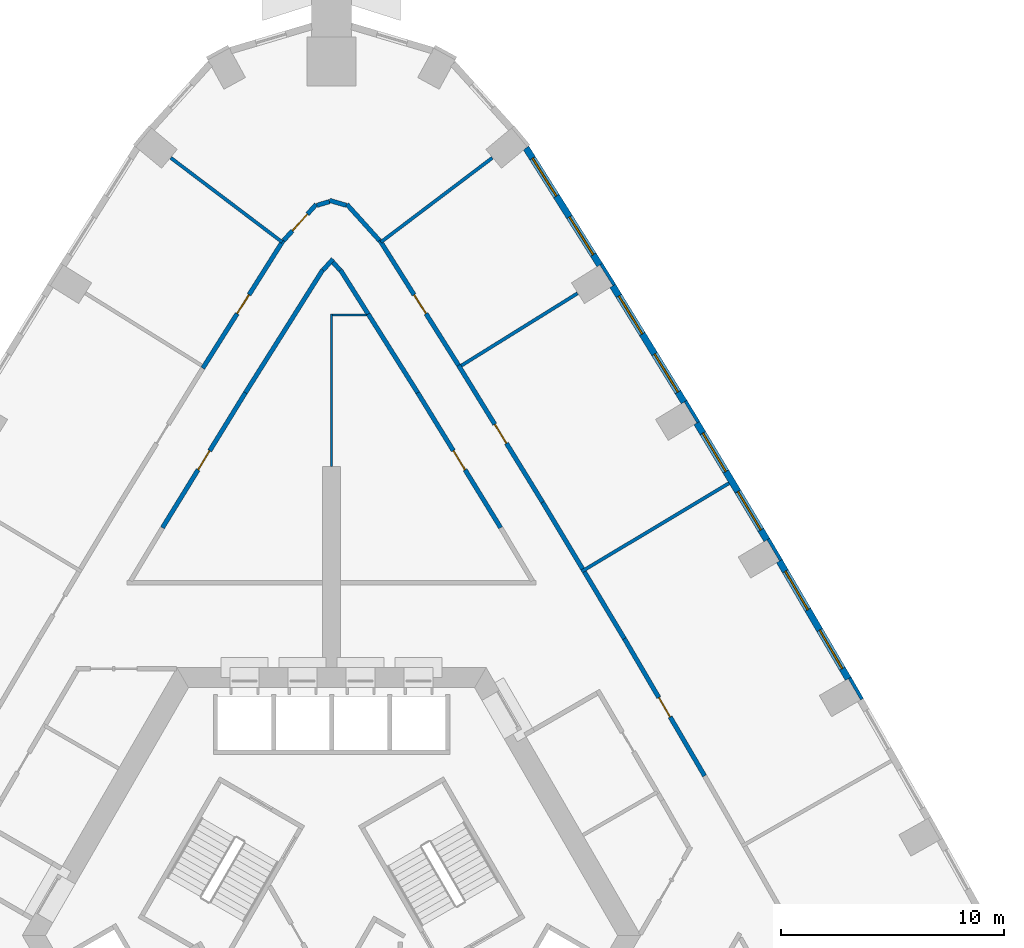
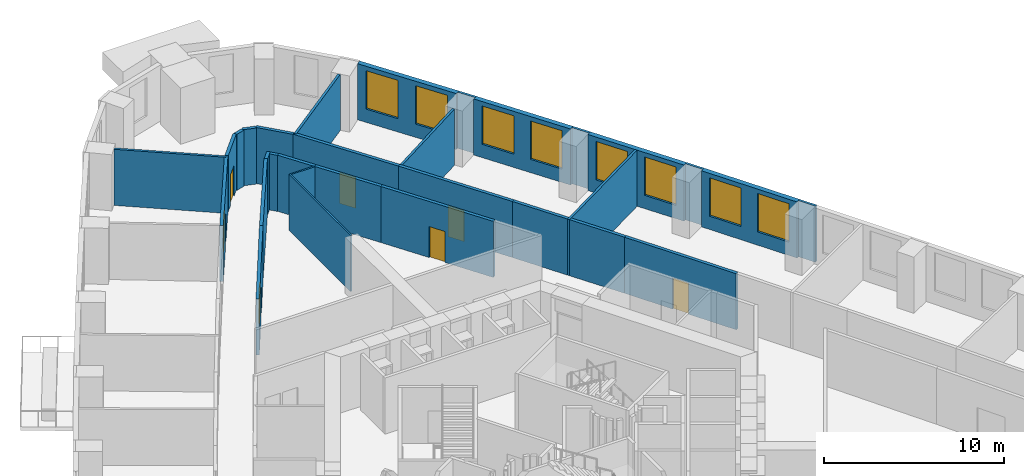
# One storey, part 10 of 15: 31 walls, 8 windows, 7 doors, 15 openings.
"""IFC4 building model written with IfcOpenShell, lengths in metres."""

from ifc_helpers import new_model, si_unit, direction, frame, frame_2d, origin, place, context, subcontext, project, spatial, rectangle, extrude, material, layer, layer_set, type_object, element, fill, save


model = new_model("IFC4")

# Units and contexts
model_context = context("Model", 3, precision=1e-05, world=origin(), true_north=direction((0.0, 1.0)))
body_context = subcontext(model_context, "Body", "Model", "MODEL_VIEW")
ifc_project = project(units=[si_unit("LENGTHUNIT", "METRE"), si_unit("AREAUNIT", "SQUARE_METRE"), si_unit("VOLUMEUNIT", "CUBIC_METRE"), si_unit("PLANEANGLEUNIT", "RADIAN"), si_unit("MASSUNIT", "GRAM", prefix="KILO")], contexts=[model_context])

# Site, building, storey
site_placement = place(None, origin())
site = spatial("IfcSite", under=ifc_project, at=site_placement, CompositionType="ELEMENT")
building_placement = place(site_placement, origin())
building = spatial("IfcBuilding", under=site, at=building_placement, Name="Entoto Arch Interchange Tower", CompositionType="ELEMENT")
storey_placement = place(building_placement, frame((0.0, 0.0, 120.199951171875)))
storey = spatial("IfcBuildingStorey", under=building, at=storey_placement, Name="L26", CompositionType="ELEMENT", Elevation=120.199951171875)

# Walls
ifc_material_1 = material(Name="Gypsum board partition on steel studs", Category="steel")
ifc_layer_1 = layer(ifc_material_1, 0.10009765625)
ifc_layer_set_1 = layer_set([ifc_layer_1], Name="Gypsum board partition on steel studs")
wall_type_1 = type_object("IfcWallType", Name="PARTITION 100", PredefinedType="PARTITIONING", material=ifc_layer_set_1)
wall_1_placement = place(storey_placement, frame((0.0, 23.5, 0.0), z_axis=(0.0, 0.0, 1.0), x_axis=(0.0, 1.0, 0.0)))
element("IfcWall", 1, at=wall_1_placement, inside=storey, type_object=wall_type_1, Name="wall:L26:p117", PredefinedType="PARTITIONING", context=body_context, shape_type="SweptSolid", body=[
    extrude(rectangle(XDim=6.85009765625, YDim=0.10009765625, at=frame_2d((3.425048828125, 0.0))), origin(), (0.0, 0.0, 1.0), 3.800048828125),
])
wall_2_placement = place(storey_placement, frame((0.050048828125, 30.300048828125, 0.0), z_axis=(0.0, 0.0, 1.0), x_axis=(1.0, 0.0, 0.0)))
element("IfcWall", 2, at=wall_2_placement, inside=storey, type_object=wall_type_1, Name="wall:L26:p118", PredefinedType="PARTITIONING", context=body_context, shape_type="SweptSolid", body=[
    extrude(rectangle(XDim=1.51806640625, YDim=0.10009765625, at=frame_2d((0.759033203125, 0.0))), origin(), (0.0, 0.0, 1.0), 3.800048828125),
])
ifc_layer_2 = layer(ifc_material_1, 0.14990234375)
ifc_layer_set_2 = layer_set([ifc_layer_2], Name="Gypsum board partition on steel studs")
wall_type_2 = type_object("IfcWallType", Name="PARTITION 150", PredefinedType="PARTITIONING", material=ifc_layer_set_2)
wall_3_placement = place(storey_placement, frame((11.201904296875, 18.802978515625, 0.0), z_axis=(0.0, 0.0, 1.0), x_axis=(0.857778149162, 0.514020084062, 0.0)))
element("IfcWall", 3, at=wall_3_placement, inside=storey, type_object=wall_type_2, Name="wall:L26:p123", PredefinedType="PARTITIONING", context=body_context, shape_type="SweptSolid", body=[
    extrude(rectangle(XDim=7.7001953125, YDim=0.14990234375, at=frame_2d((3.85009765625, 0.0))), origin(), (0.0, 0.0, 1.0), 3.800048828125),
])
wall_4_placement = place(storey_placement, frame((5.81396484375, 28.031005859375, 0.0), z_axis=(0.0, 0.0, 1.0), x_axis=(0.849222099047, 0.528035819324, 0.0)))
element("IfcWall", 4, at=wall_4_placement, inside=storey, type_object=wall_type_2, Name="wall:L26:p124", PredefinedType="PARTITIONING", context=body_context, shape_type="SweptSolid", body=[
    extrude(rectangle(XDim=6.13037109375, YDim=0.14990234375, at=frame_2d((3.065185546875, 0.0))), origin(), (0.0, 0.0, 1.0), 3.800048828125),
])
for number, where, z_axis, x_axis, name in (
    (5, (2.2119140625, 33.56494140625, 0.0), (0.0, 0.0, 1.0), (0.797488074979, 0.603334708322, 0.0), "wall:L26:p125"),
    (6, (-2.2119140625, 33.56494140625, 0.0), (0.0, 0.0, 1.0), (-0.797488074979, 0.603334708322, 0.0), "wall:L26:p126"),
):
    element("IfcWall", number, at=place(storey_placement, frame(where, z_axis=z_axis, x_axis=x_axis)), inside=storey, type_object=wall_type_2, Name=name, PredefinedType="PARTITIONING", context=body_context, shape_type="SweptSolid", body=[
        extrude(rectangle(XDim=6.257080078125, YDim=0.14990234375, at=frame_2d((3.12841796875, 0.0))), origin(), (0.0, 0.0, 1.0), 3.800048828125),
    ])

# Wall, opening, door
ifc_layer_3 = layer(ifc_material_1, 0.199951171875)
ifc_layer_set_3 = layer_set([ifc_layer_3], Name="Gypsum board partition on steel studs")
wall_type_3 = type_object("IfcWallType", Name="PARTITION 200", PredefinedType="PARTITIONING", material=ifc_layer_set_3)
wall_5_placement = place(storey_placement, frame((7.575927734375, 20.76806640625, 0.0), z_axis=(0.0, 0.0, 1.0), x_axis=(-0.523390991338, 0.852092641786, 0.0)))
wall_5 = element("IfcWall", 7, at=wall_5_placement, inside=storey, type_object=wall_type_3, Name="wall:L26:p010", PredefinedType="PARTITIONING", context=body_context, shape_type="SweptSolid", body=[
    extrude(rectangle(XDim=7.09765625, YDim=0.199951171875, at=frame_2d((3.548828125, 0.0))), origin(), (0.0, 0.0, 1.0), 3.800048828125),
])
opening_1_placement = place(wall_5_placement, frame((3.049072265625, 0.0, 0.0)))
opening_1 = element("IfcOpeningElement", 8, at=opening_1_placement, cuts=wall_5, Name="Opening L26-D21", PredefinedType="OPENING", context=body_context, shape_type="SweptSolid", body=[
    extrude(rectangle(XDim=1.0, YDim=2.10009765625, at=frame_2d((0.5, 1.050048828125))), frame((0.0, 0.10986328125, 0.0), z_axis=(0.0, -1.0, 0.0), x_axis=(1.0, 0.0, 0.0)), (0.0, 0.0, 1.0), 0.219970703125),
])
ifc_material_2 = material(Name="Timber door leaf in Steel S235 frame", Category="steel")
door_type = type_object("IfcDoorType", Name="DOOR DS-10 1000x2100", OperationType="SINGLE_SWING_LEFT", PredefinedType="DOOR", material=ifc_material_2)
door_1_placement = place(opening_1_placement, origin())
door_1 = element("IfcDoor", 9, at=door_1_placement, inside=storey, type_object=door_type, Name="door:L26:21", OperationType="SINGLE_SWING_LEFT", OverallHeight=2.10009765625, OverallWidth=1.0, PredefinedType="DOOR", context=body_context, shape_type="SweptSolid", body=[
    extrude(rectangle(XDim=1.0, YDim=2.10009765625, at=frame_2d((0.5, 1.050048828125))), frame((0.0, 0.02490234375, 0.0), z_axis=(0.0, -1.0, 0.0), x_axis=(1.0, 0.0, 0.0)), (0.0, 0.0, 1.0), 0.050048828125),
])
fill(opening_1, door_1)

# Walls
wall_6_placement = place(storey_placement, frame((3.861083984375, 26.81591796875, 0.0), z_axis=(0.0, 0.0, 1.0), x_axis=(-0.532782188792, 0.846252408745, 0.0)))
element("IfcWall", 10, at=wall_6_placement, inside=storey, type_object=wall_type_3, Name="wall:L26:p011", PredefinedType="PARTITIONING", context=body_context, shape_type="SweptSolid", body=[
    extrude(rectangle(XDim=4.166748046875, YDim=0.199951171875, at=frame_2d((2.08349609375, 0.0))), origin(), (0.0, 0.0, 1.0), 3.800048828125),
])
wall_7_placement = place(storey_placement, frame((1.64111328125, 30.342041015625, 0.0), z_axis=(0.0, 0.0, 1.0), x_axis=(-0.532732797088, 0.846283502679, 0.0)))
element("IfcWall", 11, at=wall_7_placement, inside=storey, type_object=wall_type_3, Name="wall:L26:p012", PredefinedType="PARTITIONING", context=body_context, shape_type="SweptSolid", body=[
    extrude(rectangle(XDim=2.33349609375, YDim=0.199951171875, at=frame_2d((1.166748046875, 0.0))), origin(), (0.0, 0.0, 1.0), 3.800048828125),
])
wall_8_placement = place(storey_placement, frame((0.384033203125, 32.305908203125, 0.0), z_axis=(0.0, 0.0, 1.0), x_axis=(-0.669306261406, 0.742986627365, 0.0)))
element("IfcWall", 12, at=wall_8_placement, inside=storey, type_object=wall_type_3, Name="wall:L26:p013", PredefinedType="PARTITIONING", context=body_context, shape_type="SweptSolid", body=[
    extrude(rectangle(XDim=0.473876953125, YDim=0.199951171875, at=frame_2d((0.23681640625, 0.0))), origin(), (0.0, 0.0, 1.0), 3.800048828125),
])
wall_9_placement = place(storey_placement, frame((0.06689453125, 32.806884765625, 0.0), z_axis=(0.0, 0.0, 1.0), x_axis=(-0.66900475403, -0.74325812413, 0.0)))
element("IfcWall", 13, at=wall_9_placement, inside=storey, type_object=wall_type_3, Name="wall:L26:p014", PredefinedType="PARTITIONING", context=body_context, shape_type="SweptSolid", body=[
    extrude(rectangle(XDim=0.674072265625, YDim=0.199951171875, at=frame_2d((0.3369140625, 0.0))), origin(), (0.0, 0.0, 1.0), 3.800048828125),
])
wall_10_placement = place(storey_placement, frame((-0.39794921875, 32.31689453125, 0.0), z_axis=(0.0, 0.0, 1.0), x_axis=(-0.53276445777, -0.846263571553, 0.0)))
element("IfcWall", 14, at=wall_10_placement, inside=storey, type_object=wall_type_3, Name="wall:L26:p015", PredefinedType="PARTITIONING", context=body_context, shape_type="SweptSolid", body=[
    extrude(rectangle(XDim=6.500244140625, YDim=0.199951171875, at=frame_2d((3.25, 0.0))), origin(), (0.0, 0.0, 1.0), 3.800048828125),
])

# Wall, opening, door
wall_11_placement = place(storey_placement, frame((-3.861083984375, 26.81591796875, 0.0), z_axis=(0.0, 0.0, 1.0), x_axis=(-0.523390991338, -0.852092641786, 0.0)))
wall_11 = element("IfcWall", 15, at=wall_11_placement, inside=storey, type_object=wall_type_3, Name="wall:L26:p016", PredefinedType="PARTITIONING", context=body_context, shape_type="SweptSolid", body=[
    extrude(rectangle(XDim=7.09765625, YDim=0.199951171875, at=frame_2d((3.548828125, 0.0))), origin(), (0.0, 0.0, 1.0), 3.800048828125),
])
opening_2_placement = place(wall_11_placement, frame((3.049072265625, 0.0, 0.0)))
opening_2 = element("IfcOpeningElement", 16, at=opening_2_placement, cuts=wall_11, Name="Opening L26-D22", PredefinedType="OPENING", context=body_context, shape_type="SweptSolid", body=[
    extrude(rectangle(XDim=1.0, YDim=2.10009765625, at=frame_2d((0.5, 1.050048828125))), frame((0.0, 0.10986328125, 0.0), z_axis=(0.0, -1.0, 0.0), x_axis=(1.0, 0.0, 0.0)), (0.0, 0.0, 1.0), 0.219970703125),
])
door_2_placement = place(opening_2_placement, origin())
door_2 = element("IfcDoor", 17, at=door_2_placement, inside=storey, type_object=door_type, Name="door:L26:22", OperationType="SINGLE_SWING_LEFT", OverallHeight=2.10009765625, OverallWidth=1.0, PredefinedType="DOOR", context=body_context, shape_type="SweptSolid", body=[
    extrude(rectangle(XDim=1.0, YDim=2.10009765625, at=frame_2d((0.5, 1.050048828125))), frame((0.0, 0.02490234375, 0.0), z_axis=(0.0, -1.0, 0.0), x_axis=(1.0, 0.0, 0.0)), (0.0, 0.0, 1.0), 0.050048828125),
])
fill(opening_2, door_2)

# Wall
wall_12_placement = place(storey_placement, frame((11.325927734375, 18.7900390625, 0.0), z_axis=(0.0, 0.0, 1.0), x_axis=(0.514155958966, -0.857696712049, 0.0)))
element("IfcWall", 18, at=wall_12_placement, inside=storey, type_object=wall_type_3, Name="wall:L26:p047", PredefinedType="PARTITIONING", context=body_context, shape_type="SweptSolid", body=[
    extrude(rectangle(XDim=3.4873046875, YDim=0.199951171875, at=frame_2d((1.74365234375, 0.0))), origin(), (0.0, 0.0, 1.0), 3.800048828125),
])

# Wall, opening, door
wall_13_placement = place(storey_placement, frame((13.118896484375, 15.799072265625, 0.0), z_axis=(0.0, 0.0, 1.0), x_axis=(0.504729598075, -0.863277494684, 0.0)))
wall_13 = element("IfcWall", 19, at=wall_13_placement, inside=storey, type_object=wall_type_3, Name="wall:L26:p048", PredefinedType="PARTITIONING", context=body_context, shape_type="SweptSolid", body=[
    extrude(rectangle(XDim=7.123046875, YDim=0.199951171875, at=frame_2d((3.5615234375, 0.0))), origin(), (0.0, 0.0, 1.0), 3.800048828125),
])
opening_3_placement = place(wall_13_placement, frame((3.06103515625, 0.0, 0.0)))
opening_3 = element("IfcOpeningElement", 20, at=opening_3_placement, cuts=wall_13, Name="Opening L26-D05", PredefinedType="OPENING", context=body_context, shape_type="SweptSolid", body=[
    extrude(rectangle(XDim=1.0, YDim=2.10009765625, at=frame_2d((0.5, 1.050048828125))), frame((0.0, 0.10986328125, 0.0), z_axis=(0.0, -1.0, 0.0), x_axis=(1.0, 0.0, 0.0)), (0.0, 0.0, 1.0), 0.219970703125),
])
door_3_placement = place(opening_3_placement, origin())
door_3 = element("IfcDoor", 21, at=door_3_placement, inside=storey, type_object=door_type, Name="door:L26:05", OperationType="SINGLE_SWING_RIGHT", OverallHeight=2.10009765625, OverallWidth=1.0, PredefinedType="DOOR", context=body_context, shape_type="SweptSolid", body=[
    extrude(rectangle(XDim=1.0, YDim=2.10009765625, at=frame_2d((0.5, 1.050048828125))), frame((0.0, 0.02490234375, 0.0), z_axis=(0.0, -1.0, 0.0), x_axis=(1.0, 0.0, 0.0)), (0.0, 0.0, 1.0), 0.050048828125),
])
fill(opening_3, door_3)

wall_14_placement = place(storey_placement, frame((5.68994140625, 28.0419921875, 0.0), z_axis=(0.0, 0.0, 1.0), x_axis=(0.523381868706, -0.852098245222, 0.0)))
wall_14 = element("IfcWall", 22, at=wall_14_placement, inside=storey, type_object=wall_type_3, Name="wall:L26:p050", PredefinedType="PARTITIONING", context=body_context, shape_type="SweptSolid", body=[
    extrude(rectangle(XDim=7.197509765625, YDim=0.199951171875, at=frame_2d((3.5986328125, 0.0))), origin(), (0.0, 0.0, 1.0), 3.800048828125),
])
opening_4_placement = place(wall_14_placement, frame((3.09912109375, 0.0, 0.0)))
opening_4 = element("IfcOpeningElement", 23, at=opening_4_placement, cuts=wall_14, Name="Opening L26-D06", PredefinedType="OPENING", context=body_context, shape_type="SweptSolid", body=[
    extrude(rectangle(XDim=1.0, YDim=2.10009765625, at=frame_2d((0.5, 1.050048828125))), frame((0.0, 0.10986328125, 0.0), z_axis=(0.0, -1.0, 0.0), x_axis=(1.0, 0.0, 0.0)), (0.0, 0.0, 1.0), 0.219970703125),
])
door_4_placement = place(opening_4_placement, origin())
door_4 = element("IfcDoor", 24, at=door_4_placement, inside=storey, type_object=door_type, Name="door:L26:06", OperationType="SINGLE_SWING_LEFT", OverallHeight=2.10009765625, OverallWidth=1.0, PredefinedType="DOOR", context=body_context, shape_type="SweptSolid", body=[
    extrude(rectangle(XDim=1.0, YDim=2.10009765625, at=frame_2d((0.5, 1.050048828125))), frame((0.0, 0.02490234375, 0.0), z_axis=(0.0, -1.0, 0.0), x_axis=(1.0, 0.0, 0.0)), (0.0, 0.0, 1.0), 0.050048828125),
])
fill(opening_4, door_4)

# Wall
wall_15_placement = place(storey_placement, frame((9.45703125, 21.908935546875, 0.0), z_axis=(0.0, 0.0, 1.0), x_axis=(0.513949903813, -0.857820200491, 0.0)))
element("IfcWall", 25, at=wall_15_placement, inside=storey, type_object=wall_type_3, Name="wall:L26:p051", PredefinedType="PARTITIONING", context=body_context, shape_type="SweptSolid", body=[
    extrude(rectangle(XDim=3.48681640625, YDim=0.199951171875, at=frame_2d((1.743408203125, 0.0))), origin(), (0.0, 0.0, 1.0), 3.800048828125),
])

# Wall, opening, door
wall_16_placement = place(storey_placement, frame((2.158935546875, 33.64892578125, 0.0), z_axis=(0.0, 0.0, 1.0), x_axis=(0.532784927572, -0.846250684462, 0.0)))
wall_16 = element("IfcWall", 26, at=wall_16_placement, inside=storey, type_object=wall_type_3, Name="wall:L26:p052", PredefinedType="PARTITIONING", context=body_context, shape_type="SweptSolid", body=[
    extrude(rectangle(XDim=6.625732421875, YDim=0.199951171875, at=frame_2d((3.31298828125, 0.0))), origin(), (0.0, 0.0, 1.0), 3.800048828125),
])
opening_5_placement = place(wall_16_placement, frame((2.887939453125, 0.0, 0.0)))
opening_5 = element("IfcOpeningElement", 27, at=opening_5_placement, cuts=wall_16, Name="Opening L26-D07", PredefinedType="OPENING", context=body_context, shape_type="SweptSolid", body=[
    extrude(rectangle(XDim=1.0, YDim=2.10009765625, at=frame_2d((0.5, 1.050048828125))), frame((0.0, 0.10986328125, 0.0), z_axis=(0.0, -1.0, 0.0), x_axis=(1.0, 0.0, 0.0)), (0.0, 0.0, 1.0), 0.219970703125),
])
door_5_placement = place(opening_5_placement, origin())
door_5 = element("IfcDoor", 28, at=door_5_placement, inside=storey, type_object=door_type, Name="door:L26:07", OperationType="SINGLE_SWING_LEFT", OverallHeight=2.10009765625, OverallWidth=1.0, PredefinedType="DOOR", context=body_context, shape_type="SweptSolid", body=[
    extrude(rectangle(XDim=1.0, YDim=2.10009765625, at=frame_2d((0.5, 1.050048828125))), frame((0.0, 0.02490234375, 0.0), z_axis=(0.0, -1.0, 0.0), x_axis=(1.0, 0.0, 0.0)), (0.0, 0.0, 1.0), 0.050048828125),
])
fill(opening_5, door_5)

wall_17_placement = place(storey_placement, frame((-2.14501953125, 33.638916015625, 0.0), z_axis=(0.0, 0.0, 1.0), x_axis=(0.66965737341, 0.742670184023, 0.0)))
wall_17 = element("IfcWall", 29, at=wall_17_placement, inside=storey, type_object=wall_type_3, Name="wall:L26:p053", PredefinedType="PARTITIONING", context=body_context, shape_type="SweptSolid", body=[
    extrude(rectangle(XDim=2.18017578125, YDim=0.199951171875, at=frame_2d((1.090087890625, 0.0))), origin(), (0.0, 0.0, 1.0), 3.800048828125),
])
opening_6_placement = place(wall_17_placement, frame((0.590087890625, 0.0, 0.0)))
opening_6 = element("IfcOpeningElement", 30, at=opening_6_placement, cuts=wall_17, Name="Opening L26-D08", PredefinedType="OPENING", context=body_context, shape_type="SweptSolid", body=[
    extrude(rectangle(XDim=1.0, YDim=2.10009765625, at=frame_2d((0.5, 1.050048828125))), frame((0.0, 0.10986328125, 0.0), z_axis=(0.0, -1.0, 0.0), x_axis=(1.0, 0.0, 0.0)), (0.0, 0.0, 1.0), 0.219970703125),
])
door_6_placement = place(opening_6_placement, origin())
door_6 = element("IfcDoor", 31, at=door_6_placement, inside=storey, type_object=door_type, Name="door:L26:08", OperationType="SINGLE_SWING_LEFT", OverallHeight=2.10009765625, OverallWidth=1.0, PredefinedType="DOOR", context=body_context, shape_type="SweptSolid", body=[
    extrude(rectangle(XDim=1.0, YDim=2.10009765625, at=frame_2d((0.5, 1.050048828125))), frame((0.0, 0.02490234375, 0.0), z_axis=(0.0, -1.0, 0.0), x_axis=(1.0, 0.0, 0.0)), (0.0, 0.0, 1.0), 0.050048828125),
])
fill(opening_6, door_6)

# Walls
wall_18_placement = place(storey_placement, frame((-0.656005859375, 35.212890625, 0.0), z_axis=(0.0, 0.0, 1.0), x_axis=(0.958764375257, 0.284202168777, 0.0)))
element("IfcWall", 32, at=wall_18_placement, inside=storey, type_object=wall_type_3, Name="wall:L26:p054", PredefinedType="PARTITIONING", context=body_context, shape_type="SweptSolid", body=[
    extrude(rectangle(XDim=0.584228515625, YDim=0.199951171875, at=frame_2d((0.2919921875, 0.0))), origin(), (0.0, 0.0, 1.0), 3.800048828125),
])
wall_19_placement = place(storey_placement, frame((-0.095947265625, 35.43603515625, 0.0), z_axis=(0.0, 0.0, 1.0), x_axis=(0.95867870552, -0.284491018456, 0.0)))
element("IfcWall", 33, at=wall_19_placement, inside=storey, type_object=wall_type_3, Name="wall:L26:p055", PredefinedType="PARTITIONING", context=body_context, shape_type="SweptSolid", body=[
    extrude(rectangle(XDim=0.784423828125, YDim=0.199951171875, at=frame_2d((0.39208984375, 0.0))), origin(), (0.0, 0.0, 1.0), 3.800048828125),
])
wall_20_placement = place(storey_placement, frame((0.68505859375, 35.258056640625, 0.0), z_axis=(0.0, 0.0, 1.0), x_axis=(0.66965737341, -0.742670184023, 0.0)))
element("IfcWall", 34, at=wall_20_placement, inside=storey, type_object=wall_type_3, Name="wall:L26:p056", PredefinedType="PARTITIONING", context=body_context, shape_type="SweptSolid", body=[
    extrude(rectangle(XDim=2.18017578125, YDim=0.199951171875, at=frame_2d((1.090087890625, 0.0))), origin(), (0.0, 0.0, 1.0), 3.800048828125),
])

# Wall, opening, door
wall_21_placement = place(storey_placement, frame((-5.76904296875, 27.9150390625, 0.0), z_axis=(0.0, 0.0, 1.0), x_axis=(0.532800846123, 0.846240662206, 0.0)))
wall_21 = element("IfcWall", 35, at=wall_21_placement, inside=storey, type_object=wall_type_3, Name="wall:L26:p057", PredefinedType="PARTITIONING", context=body_context, shape_type="SweptSolid", body=[
    extrude(rectangle(XDim=6.775634765625, YDim=0.199951171875, at=frame_2d((3.3876953125, 0.0))), origin(), (0.0, 0.0, 1.0), 3.800048828125),
])
opening_7_placement = place(wall_21_placement, frame((2.887939453125, 0.0, 0.0)))
opening_7 = element("IfcOpeningElement", 36, at=opening_7_placement, cuts=wall_21, Name="Opening L26-D09", PredefinedType="OPENING", context=body_context, shape_type="SweptSolid", body=[
    extrude(rectangle(XDim=1.0, YDim=2.10009765625, at=frame_2d((0.5, 1.050048828125))), frame((0.0, 0.10986328125, 0.0), z_axis=(0.0, -1.0, 0.0), x_axis=(1.0, 0.0, 0.0)), (0.0, 0.0, 1.0), 0.219970703125),
])
door_7_placement = place(opening_7_placement, origin())
door_7 = element("IfcDoor", 37, at=door_7_placement, inside=storey, type_object=door_type, Name="door:L26:09", OperationType="SINGLE_SWING_LEFT", OverallHeight=2.10009765625, OverallWidth=1.0, PredefinedType="DOOR", context=body_context, shape_type="SweptSolid", body=[
    extrude(rectangle(XDim=1.0, YDim=2.10009765625, at=frame_2d((0.5, 1.050048828125))), frame((0.0, 0.02490234375, 0.0), z_axis=(0.0, -1.0, 0.0), x_axis=(1.0, 0.0, 0.0)), (0.0, 0.0, 1.0), 0.050048828125),
])
fill(opening_7, door_7)

# Wall, openings, windows
ifc_material_3 = material(Name="Welded tuff (ignimbrite) cladding, warm buff", Category="masonry")
ifc_layer_4 = layer(ifc_material_3, 0.300048828125)
ifc_layer_set_4 = layer_set([ifc_layer_4], Name="Welded tuff (ignimbrite) cladding, warm buff")
wall_type_4 = type_object("IfcWallType", Name="STONE INFILL WALL 300", PredefinedType="STANDARD", material=ifc_layer_set_4)
wall_22_placement = place(storey_placement, frame((23.14892578125, 13.9990234375, 0.0), z_axis=(0.0, 0.0, 1.0), x_axis=(-0.504790055126, 0.863242144619, 0.0)))
wall_22 = element("IfcWall", 38, at=wall_22_placement, inside=storey, type_object=wall_type_4, Name="Facade wall NE-05 L26", PredefinedType="STANDARD", context=body_context, shape_type="SweptSolid", body=[
    extrude(rectangle(XDim=6.109375, YDim=0.300048828125, at=frame_2d((3.0546875, 0.0))), origin(), (0.0, 0.0, 1.0), 3.800048828125),
])
opening_8_placement = place(wall_22_placement, frame((0.527099609375, 0.0, 0.89990234375)))
opening_8 = element("IfcOpeningElement", 39, at=opening_8_placement, cuts=wall_22, Name="Opening WO-C", PredefinedType="OPENING", context=body_context, shape_type="SweptSolid", body=[
    extrude(rectangle(XDim=2.0, YDim=2.60009765625, at=frame_2d((1.0, 1.300048828125))), frame((0.0, 0.16015625, 0.0), z_axis=(0.0, -1.0, 0.0), x_axis=(1.0, 0.0, 0.0)), (0.0, 0.0, 1.0), 0.320068359375),
])
opening_9_placement = place(wall_22_placement, frame((3.58203125, 0.0, 0.89990234375)))
opening_9 = element("IfcOpeningElement", 40, at=opening_9_placement, cuts=wall_22, Name="Opening WO-C", PredefinedType="OPENING", context=body_context, shape_type="SweptSolid", body=[
    extrude(rectangle(XDim=2.0, YDim=2.60009765625, at=frame_2d((1.0, 1.300048828125))), frame((0.0, 0.16015625, 0.0), z_axis=(0.0, -1.0, 0.0), x_axis=(1.0, 0.0, 0.0)), (0.0, 0.0, 1.0), 0.320068359375),
])
ifc_material_4 = material(Name="Clear glass, low-e double glazed", Category="glass")
window_type = type_object("IfcWindowType", Name="WINDOW WO-C 2000x2600", PartitioningType="DOUBLE_PANEL_VERTICAL", PredefinedType="WINDOW", material=ifc_material_4)
window_1_placement = place(opening_8_placement, origin())
window_1 = element("IfcWindow", 41, at=window_1_placement, inside=storey, type_object=window_type, Name="Window WO-C NE-05 L26", OverallHeight=2.60009765625, OverallWidth=2.0, PartitioningType="SINGLE_PANEL", PredefinedType="WINDOW", context=body_context, shape_type="SweptSolid", body=[
    extrude(rectangle(XDim=2.0, YDim=2.60009765625, at=frame_2d((1.0, 1.300048828125))), frame((0.0, 0.030029296875, 0.0), z_axis=(0.0, -1.0, 0.0), x_axis=(1.0, 0.0, 0.0)), (0.0, 0.0, 1.0), 0.06005859375),
])
fill(opening_8, window_1)
window_2_placement = place(opening_9_placement, origin())
window_2 = element("IfcWindow", 42, at=window_2_placement, inside=storey, type_object=window_type, Name="Window WO-C NE-05 L26", OverallHeight=2.60009765625, OverallWidth=2.0, PartitioningType="SINGLE_PANEL", PredefinedType="WINDOW", context=body_context, shape_type="SweptSolid", body=[
    extrude(rectangle(XDim=2.0, YDim=2.60009765625, at=frame_2d((1.0, 1.300048828125))), frame((0.0, 0.030029296875, 0.0), z_axis=(0.0, -1.0, 0.0), x_axis=(1.0, 0.0, 0.0)), (0.0, 0.0, 1.0), 0.06005859375),
])
fill(opening_9, window_2)

wall_23_placement = place(storey_placement, frame((19.506103515625, 20.217041015625, 0.0), z_axis=(0.0, 0.0, 1.0), x_axis=(-0.514078503149, 0.857743139057, 0.0)))
wall_23 = element("IfcWall", 43, at=wall_23_placement, inside=storey, type_object=wall_type_4, Name="Facade wall NE-06 L26", PredefinedType="STANDARD", context=body_context, shape_type="SweptSolid", body=[
    extrude(rectangle(XDim=6.110107421875, YDim=0.300048828125, at=frame_2d((3.05517578125, 0.0))), origin(), (0.0, 0.0, 1.0), 3.800048828125),
])
opening_10_placement = place(wall_23_placement, frame((0.528076171875, 0.0, 0.89990234375)))
opening_10 = element("IfcOpeningElement", 44, at=opening_10_placement, cuts=wall_23, Name="Opening WO-C", PredefinedType="OPENING", context=body_context, shape_type="SweptSolid", body=[
    extrude(rectangle(XDim=2.0, YDim=2.60009765625, at=frame_2d((1.0, 1.300048828125))), frame((0.0, 0.16015625, 0.0), z_axis=(0.0, -1.0, 0.0), x_axis=(1.0, 0.0, 0.0)), (0.0, 0.0, 1.0), 0.320068359375),
])
opening_11_placement = place(wall_23_placement, frame((3.5830078125, 0.0, 0.89990234375)))
opening_11 = element("IfcOpeningElement", 45, at=opening_11_placement, cuts=wall_23, Name="Opening WO-C", PredefinedType="OPENING", context=body_context, shape_type="SweptSolid", body=[
    extrude(rectangle(XDim=2.0, YDim=2.60009765625, at=frame_2d((1.0, 1.300048828125))), frame((0.0, 0.16015625, 0.0), z_axis=(0.0, -1.0, 0.0), x_axis=(1.0, 0.0, 0.0)), (0.0, 0.0, 1.0), 0.320068359375),
])
window_3_placement = place(opening_10_placement, origin())
window_3 = element("IfcWindow", 46, at=window_3_placement, inside=storey, type_object=window_type, Name="Window WO-C NE-06 L26", OverallHeight=2.60009765625, OverallWidth=2.0, PartitioningType="SINGLE_PANEL", PredefinedType="WINDOW", context=body_context, shape_type="SweptSolid", body=[
    extrude(rectangle(XDim=2.0, YDim=2.60009765625, at=frame_2d((1.0, 1.300048828125))), frame((0.0, 0.030029296875, 0.0), z_axis=(0.0, -1.0, 0.0), x_axis=(1.0, 0.0, 0.0)), (0.0, 0.0, 1.0), 0.06005859375),
])
fill(opening_10, window_3)
window_4_placement = place(opening_11_placement, origin())
window_4 = element("IfcWindow", 47, at=window_4_placement, inside=storey, type_object=window_type, Name="Window WO-C NE-06 L26", OverallHeight=2.60009765625, OverallWidth=2.0, PartitioningType="SINGLE_PANEL", PredefinedType="WINDOW", context=body_context, shape_type="SweptSolid", body=[
    extrude(rectangle(XDim=2.0, YDim=2.60009765625, at=frame_2d((1.0, 1.300048828125))), frame((0.0, 0.030029296875, 0.0), z_axis=(0.0, -1.0, 0.0), x_axis=(1.0, 0.0, 0.0)), (0.0, 0.0, 1.0), 0.06005859375),
])
fill(opening_11, window_4)

wall_24_placement = place(storey_placement, frame((15.7958984375, 26.39697265625, 0.0), z_axis=(0.0, 0.0, 1.0), x_axis=(-0.523417276981, 0.852076495485, 0.0)))
wall_24 = element("IfcWall", 48, at=wall_24_placement, inside=storey, type_object=wall_type_4, Name="Facade wall NE-07 L26", PredefinedType="STANDARD", context=body_context, shape_type="SweptSolid", body=[
    extrude(rectangle(XDim=6.10986328125, YDim=0.300048828125, at=frame_2d((3.054931640625, 0.0))), origin(), (0.0, 0.0, 1.0), 3.800048828125),
])
opening_12_placement = place(wall_24_placement, frame((0.527099609375, 0.0, 0.89990234375)))
opening_12 = element("IfcOpeningElement", 49, at=opening_12_placement, cuts=wall_24, Name="Opening WO-C", PredefinedType="OPENING", context=body_context, shape_type="SweptSolid", body=[
    extrude(rectangle(XDim=2.0, YDim=2.60009765625, at=frame_2d((1.0, 1.300048828125))), frame((0.0, 0.16015625, 0.0), z_axis=(0.0, -1.0, 0.0), x_axis=(1.0, 0.0, 0.0)), (0.0, 0.0, 1.0), 0.320068359375),
])
opening_13_placement = place(wall_24_placement, frame((3.58203125, 0.0, 0.89990234375)))
opening_13 = element("IfcOpeningElement", 50, at=opening_13_placement, cuts=wall_24, Name="Opening WO-C", PredefinedType="OPENING", context=body_context, shape_type="SweptSolid", body=[
    extrude(rectangle(XDim=2.0, YDim=2.60009765625, at=frame_2d((1.0, 1.300048828125))), frame((0.0, 0.16015625, 0.0), z_axis=(0.0, -1.0, 0.0), x_axis=(1.0, 0.0, 0.0)), (0.0, 0.0, 1.0), 0.320068359375),
])
window_5_placement = place(opening_12_placement, origin())
window_5 = element("IfcWindow", 51, at=window_5_placement, inside=storey, type_object=window_type, Name="Window WO-C NE-07 L26", OverallHeight=2.60009765625, OverallWidth=2.0, PartitioningType="SINGLE_PANEL", PredefinedType="WINDOW", context=body_context, shape_type="SweptSolid", body=[
    extrude(rectangle(XDim=2.0, YDim=2.60009765625, at=frame_2d((1.0, 1.300048828125))), frame((0.0, 0.030029296875, 0.0), z_axis=(0.0, -1.0, 0.0), x_axis=(1.0, 0.0, 0.0)), (0.0, 0.0, 1.0), 0.06005859375),
])
fill(opening_12, window_5)
window_6_placement = place(opening_13_placement, origin())
window_6 = element("IfcWindow", 52, at=window_6_placement, inside=storey, type_object=window_type, Name="Window WO-C NE-07 L26", OverallHeight=2.60009765625, OverallWidth=2.0, PartitioningType="SINGLE_PANEL", PredefinedType="WINDOW", context=body_context, shape_type="SweptSolid", body=[
    extrude(rectangle(XDim=2.0, YDim=2.60009765625, at=frame_2d((1.0, 1.300048828125))), frame((0.0, 0.030029296875, 0.0), z_axis=(0.0, -1.0, 0.0), x_axis=(1.0, 0.0, 0.0)), (0.0, 0.0, 1.0), 0.06005859375),
])
fill(opening_13, window_6)

wall_25_placement = place(storey_placement, frame((12.01806640625, 32.534912109375, 0.0), z_axis=(0.0, 0.0, 1.0), x_axis=(-0.532699467907, 0.846304482377, 0.0)))
wall_25 = element("IfcWall", 53, at=wall_25_placement, inside=storey, type_object=wall_type_4, Name="Facade wall NE-08 L26", PredefinedType="STANDARD", context=body_context, shape_type="SweptSolid", body=[
    extrude(rectangle(XDim=6.202392578125, YDim=0.300048828125, at=frame_2d((3.10107421875, 0.0))), origin(), (0.0, 0.0, 1.0), 3.800048828125),
])
opening_14_placement = place(wall_25_placement, frame((0.551025390625, 0.0, 0.89990234375)))
opening_14 = element("IfcOpeningElement", 54, at=opening_14_placement, cuts=wall_25, Name="Opening WO-C", PredefinedType="OPENING", context=body_context, shape_type="SweptSolid", body=[
    extrude(rectangle(XDim=2.0, YDim=2.60009765625, at=frame_2d((1.0, 1.300048828125))), frame((0.0, 0.16015625, 0.0), z_axis=(0.0, -1.0, 0.0), x_axis=(1.0, 0.0, 0.0)), (0.0, 0.0, 1.0), 0.320068359375),
])
opening_15_placement = place(wall_25_placement, frame((3.652099609375, 0.0, 0.89990234375)))
opening_15 = element("IfcOpeningElement", 55, at=opening_15_placement, cuts=wall_25, Name="Opening WO-C", PredefinedType="OPENING", context=body_context, shape_type="SweptSolid", body=[
    extrude(rectangle(XDim=2.0, YDim=2.60009765625, at=frame_2d((1.0, 1.300048828125))), frame((0.0, 0.16015625, 0.0), z_axis=(0.0, -1.0, 0.0), x_axis=(1.0, 0.0, 0.0)), (0.0, 0.0, 1.0), 0.320068359375),
])
window_7_placement = place(opening_14_placement, origin())
window_7 = element("IfcWindow", 56, at=window_7_placement, inside=storey, type_object=window_type, Name="Window WO-C NE-08 L26", OverallHeight=2.60009765625, OverallWidth=2.0, PartitioningType="SINGLE_PANEL", PredefinedType="WINDOW", context=body_context, shape_type="SweptSolid", body=[
    extrude(rectangle(XDim=2.0, YDim=2.60009765625, at=frame_2d((1.0, 1.300048828125))), frame((0.0, 0.030029296875, 0.0), z_axis=(0.0, -1.0, 0.0), x_axis=(1.0, 0.0, 0.0)), (0.0, 0.0, 1.0), 0.06005859375),
])
fill(opening_14, window_7)
window_8_placement = place(opening_15_placement, origin())
window_8 = element("IfcWindow", 57, at=window_8_placement, inside=storey, type_object=window_type, Name="Window WO-C NE-08 L26", OverallHeight=2.60009765625, OverallWidth=2.0, PartitioningType="SINGLE_PANEL", PredefinedType="WINDOW", context=body_context, shape_type="SweptSolid", body=[
    extrude(rectangle(XDim=2.0, YDim=2.60009765625, at=frame_2d((1.0, 1.300048828125))), frame((0.0, 0.030029296875, 0.0), z_axis=(0.0, -1.0, 0.0), x_axis=(1.0, 0.0, 0.0)), (0.0, 0.0, 1.0), 0.06005859375),
])
fill(opening_15, window_8)

# Walls
ifc_layer_5 = layer(ifc_material_3, 0.14990234375)
ifc_layer_set_5 = layer_set([ifc_layer_5], Name="Welded tuff (ignimbrite) cladding, warm buff")
wall_type_5 = type_object("IfcWallType", Name="STONE PIER CLADDING 150", PredefinedType="STANDARD", material=ifc_layer_set_5)
wall_26_placement = place(storey_placement, frame((23.76611328125, 13.0859375, 0.0), z_axis=(0.0, 0.0, 1.0), x_axis=(-0.499837685251, 0.86611909597, 0.0)))
element("IfcWall", 58, at=wall_26_placement, inside=storey, type_object=wall_type_5, Name="Stone pier NE05 L26", PredefinedType="STANDARD", context=body_context, shape_type="SweptSolid", body=[
    extrude(rectangle(XDim=1.100341796875, YDim=0.14990234375, at=frame_2d((0.55029296875, 0.0))), origin(), (0.0, 0.0, 1.0), 3.800048828125),
])
wall_27_placement = place(storey_placement, frame((20.133056640625, 19.31201171875, 0.0), z_axis=(0.0, 0.0, 1.0), x_axis=(-0.510082245696, 0.860125631885, 0.0)))
element("IfcWall", 59, at=wall_27_placement, inside=storey, type_object=wall_type_5, Name="Stone pier NE06 L26", PredefinedType="STANDARD", context=body_context, shape_type="SweptSolid", body=[
    extrude(rectangle(XDim=1.099853515625, YDim=0.14990234375, at=frame_2d((0.5498046875, 0.0))), origin(), (0.0, 0.0, 1.0), 3.800048828125),
])
wall_28_placement = place(storey_placement, frame((16.43310546875, 25.498046875, 0.0), z_axis=(0.0, 0.0, 1.0), x_axis=(-0.519869515594, 0.854245682901, 0.0)))
element("IfcWall", 60, at=wall_28_placement, inside=storey, type_object=wall_type_5, Name="Stone pier NE07 L26", PredefinedType="STANDARD", context=body_context, shape_type="SweptSolid", body=[
    extrude(rectangle(XDim=1.100341796875, YDim=0.14990234375, at=frame_2d((0.55029296875, 0.0))), origin(), (0.0, 0.0, 1.0), 3.800048828125),
])
wall_29_placement = place(storey_placement, frame((12.666015625, 31.64404296875, 0.0), z_axis=(0.0, 0.0, 1.0), x_axis=(-0.52997899071, 0.848010771987, 0.0)))
element("IfcWall", 61, at=wall_29_placement, inside=storey, type_object=wall_type_5, Name="Stone pier NE08 L26", PredefinedType="STANDARD", context=body_context, shape_type="SweptSolid", body=[
    extrude(rectangle(XDim=1.10009765625, YDim=0.14990234375, at=frame_2d((0.550048828125, 0.0))), origin(), (0.0, 0.0, 1.0), 3.800048828125),
])

save(model, "model.ifc")
